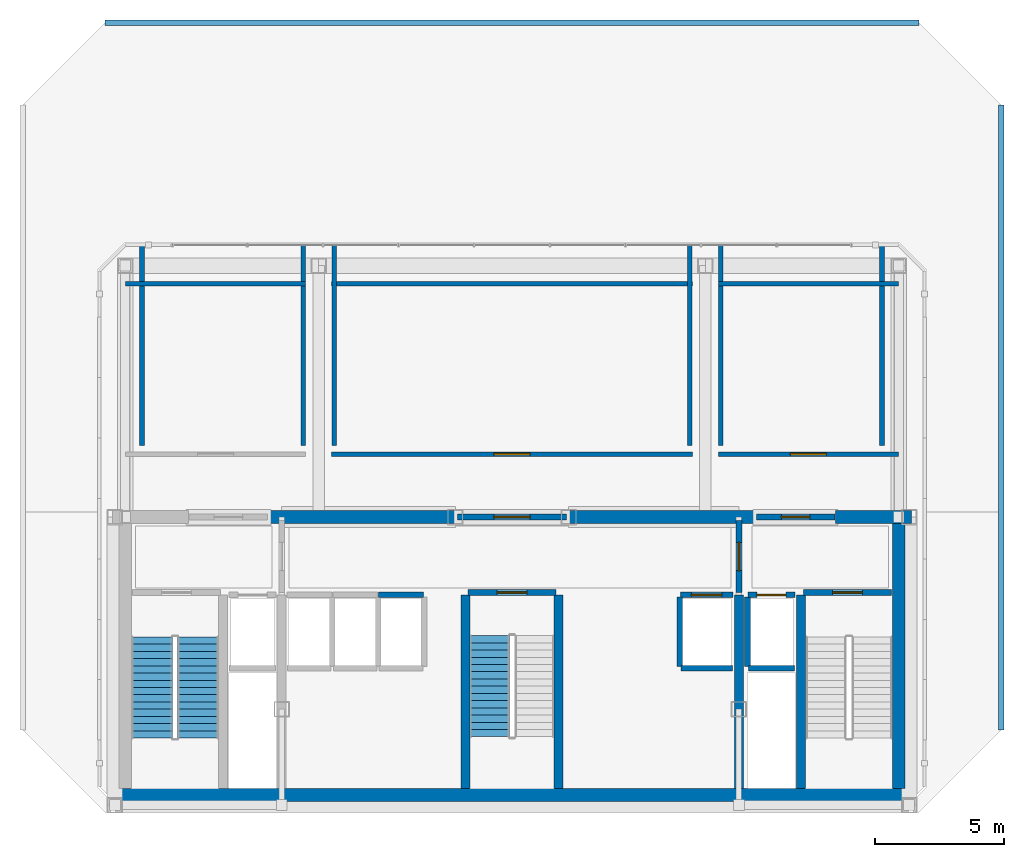
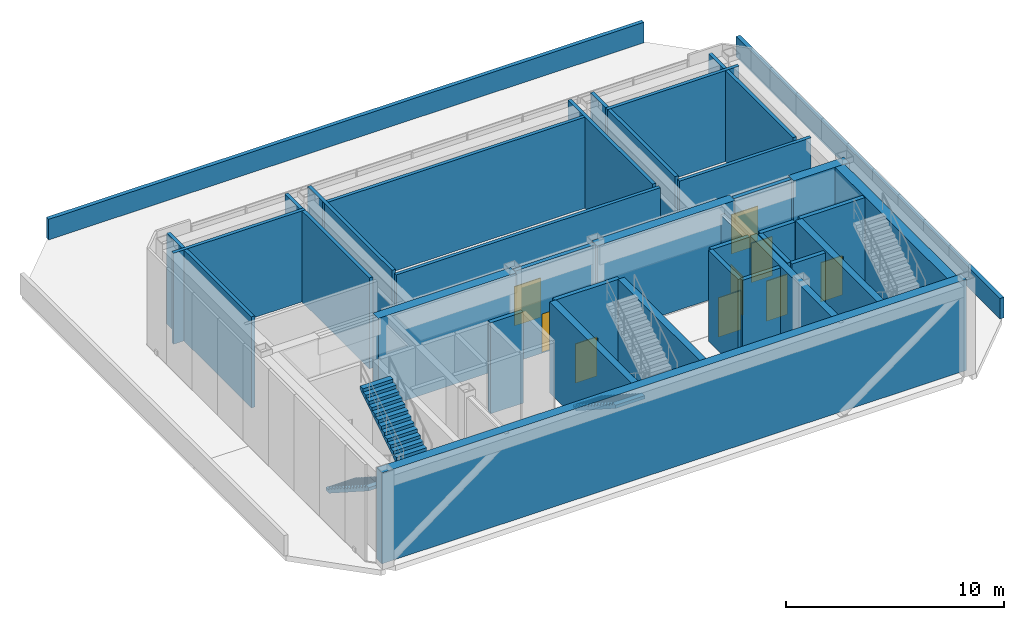
# One storey, part 9 of 11: 34 walls, 9 doors, 3 stair flights, 9 openings, 2 elements without a shape of their own.
"""IFC4 building model written with IfcOpenShell, lengths in metres."""

from ifc_helpers import new_model, si_unit, direction, frame, frame_2d, origin, place, context, subcontext, project, spatial, polyline, rectangle, outline, extrude, material, layer, layer_set, type_object, element, fill, aggregate, save


model = new_model("IFC4")

# Units and contexts
model_context = context("Model", 3, precision=1e-05, world=origin(), true_north=direction((0.0, 1.0)))
body_context = subcontext(model_context, "Body", "Model", "MODEL_VIEW")
ifc_project = project(units=[si_unit("LENGTHUNIT", "METRE"), si_unit("AREAUNIT", "SQUARE_METRE"), si_unit("VOLUMEUNIT", "CUBIC_METRE"), si_unit("PLANEANGLEUNIT", "RADIAN"), si_unit("MASSUNIT", "GRAM", prefix="KILO")], contexts=[model_context])

# Site, building, storey
site_placement = place(None, origin())
site = spatial("IfcSite", under=ifc_project, at=site_placement, CompositionType="ELEMENT")
building_placement = place(site_placement, origin())
building = spatial("IfcBuilding", under=site, at=building_placement, Name="Ventersveld Concourse Tower", CompositionType="ELEMENT")
storey_placement = place(building_placement, frame((0.0, 0.0, 366.64990234375)))
storey = spatial("IfcBuildingStorey", under=building, at=storey_placement, Name="L90", CompositionType="ELEMENT", Elevation=366.64990234375)

# Walls
ifc_material_1 = material(Name="Concrete C50/60", Category="concrete")
ifc_layer_1 = layer(ifc_material_1, 0.35009765625)
ifc_layer_set_1 = layer_set([ifc_layer_1], Name="Concrete C50/60")
wall_type_1 = type_object("IfcWallType", Name="WL-CORE-350U", PredefinedType="SHEAR", material=ifc_layer_set_1)
for number, where, z_axis, x_axis, name in (
    (1, (26.93994140625, 0.919921875, 0.0), (0.0, 0.0, 1.0), (0.0, 1.0, 0.0), "L90 Core Internal Shear Web W-ST3-W"),
    (2, (30.56005859375, 0.919921875, 0.0), (0.0, 0.0, 1.0), (0.0, 1.0, 0.0), "L90 Core Internal Shear Web W-ST3-E"),
    (3, (37.550048828125, 0.919921875, 0.0), (0.0, 0.0, 1.0), (0.0, 1.0, 0.0), "L90 Core Internal Shear Web W-SVL-W"),
    (4, (39.9599609375, 0.919921875, 0.0), (0.0, 0.0, 1.0), (0.0, 1.0, 0.0), "L90 Core Internal Shear Web W-ST2-W"),
):
    element("IfcWall", number, at=place(storey_placement, frame(where, z_axis=z_axis, x_axis=x_axis)), inside=storey, type_object=wall_type_1, Name=name, PredefinedType="SHEAR", context=body_context, shape_type="SweptSolid", body=[
        extrude(rectangle(XDim=7.5, YDim=0.35009765625, at=frame_2d((3.75, 0.0))), origin(), (0.0, 0.0, 1.0), 5.10009765625),
    ])
ifc_layer_2 = layer(ifc_material_1, 0.5)
ifc_layer_set_2 = layer_set([ifc_layer_2], Name="Concrete C50/60")
wall_type_2 = type_object("IfcWallType", Name="WL-CORE-500", PredefinedType="SHEAR", material=ifc_layer_set_2)
wall_1_placement = place(storey_placement, frame((13.25, 0.669921875, 0.0), z_axis=(0.0, 0.0, 1.0), x_axis=(1.0, 0.0, 0.0)))
element("IfcWall", 5, at=wall_1_placement, inside=storey, type_object=wall_type_2, Name="L90 Rear Core South Shear Wall", PredefinedType="SHEAR", context=body_context, shape_type="SweptSolid", body=[
    extrude(rectangle(XDim=31.0, YDim=0.5, at=frame_2d((15.5, 0.0))), origin(), (0.0, 0.0, 1.0), 5.10009765625),
])
wall_2_placement = place(storey_placement, frame((43.75, 0.919921875, 0.0), z_axis=(0.0, 0.0, 1.0), x_axis=(0.0, 1.0, 0.0)))
element("IfcWall", 6, at=wall_2_placement, inside=storey, type_object=wall_type_2, Name="L90 Rear Core East Shear Wall", PredefinedType="SHEAR", context=body_context, shape_type="SweptSolid", body=[
    extrude(rectangle(XDim=10.530029296875, YDim=0.5, at=frame_2d((5.26513671875, 0.0))), origin(), (0.0, 0.0, 1.0), 5.10009765625),
])
for number, where, z_axis, x_axis, name in (
    (7, (19.300048828125, 11.449951171875, 0.0), (0.0, 0.0, 1.0), (1.0, 0.0, 0.0), "L90 Rear Core North Shear Wall NML"),
    (8, (30.89990234375, 11.449951171875, 0.0), (0.0, 0.0, 1.0), (1.0, 0.0, 0.0), "L90 Rear Core North Shear Wall NMR"),
):
    element("IfcWall", number, at=place(storey_placement, frame(where, z_axis=z_axis, x_axis=x_axis)), inside=storey, type_object=wall_type_2, Name=name, PredefinedType="SHEAR", context=body_context, shape_type="SweptSolid", body=[
        extrude(rectangle(XDim=7.300048828125, YDim=0.5, at=frame_2d((3.64990234375, 0.0))), origin(), (0.0, 0.0, 1.0), 5.10009765625),
    ])
wall_3_placement = place(storey_placement, frame((41.300048828125, 11.449951171875, 0.0), z_axis=(0.0, 0.0, 1.0), x_axis=(1.0, 0.0, 0.0)))
element("IfcWall", 9, at=wall_3_placement, inside=storey, type_object=wall_type_2, Name="L90 Rear Core North Shear Wall NE", PredefinedType="SHEAR", context=body_context, shape_type="SweptSolid", body=[
    extrude(rectangle(XDim=2.949951171875, YDim=0.5, at=frame_2d((1.47509765625, 0.0))), origin(), (0.0, 0.0, 1.0), 5.10009765625),
])

# Wall, opening, door
ifc_material_2 = material(Name="Fire-rated autoclaved aerated masonry blockwork", Category="masonry")
ifc_layer_3 = layer(ifc_material_2, 0.179931640625)
ifc_layer_set_3 = layer_set([ifc_layer_3], Name="Fire-rated autoclaved aerated masonry blockwork")
wall_type_3 = type_object("IfcWallType", Name="WL-CORR-180", PredefinedType="PARTITIONING", material=ifc_layer_set_3)
wall_4_placement = place(storey_placement, frame((21.7548828125, 13.889892578125, 0.0), z_axis=(0.0, 0.0, 1.0), x_axis=(1.0, 0.0, 0.0)))
wall_4 = element("IfcWall", 10, at=wall_4_placement, inside=storey, type_object=wall_type_3, Name="L90 Interior Partition SP-L90-PCOR-SP-L90-AHU", PredefinedType="PARTITIONING", context=body_context, shape_type="SweptSolid", body=[
    extrude(rectangle(XDim=13.990234375, YDim=0.179931640625, at=frame_2d((6.9951171875, 0.0))), origin(), (0.0, 0.0, 1.0), 5.10009765625),
])
opening_1_placement = place(wall_4_placement, frame((6.294921875, 0.0, 0.0)))
opening_1 = element("IfcOpeningElement", 11, at=opening_1_placement, cuts=wall_4, Name="Opening FD4", PredefinedType="OPENING", context=body_context, shape_type="SweptSolid", body=[
    extrude(rectangle(XDim=1.39990234375, YDim=2.199951171875, at=frame_2d((0.699951171875, 1.10009765625))), frame((0.0, 0.10009765625, 0.0), z_axis=(0.0, -1.0, 0.0), x_axis=(1.0, 0.0, 0.0)), (0.0, 0.0, 1.0), 0.199951171875),
])
ifc_material_3 = material(Name="Galvanised painted steel", Category="steel")
door_type_1 = type_object("IfcDoorType", Name="DR-PLANT-140", OperationType="DOUBLE_DOOR_SINGLE_SWING", PredefinedType="DOOR", material=ifc_material_3)
door_1_placement = place(opening_1_placement, origin())
door_1 = element("IfcDoor", 12, at=door_1_placement, inside=storey, type_object=door_type_1, Name="L90 Interior Door SP-L90-PCOR to SP-L90-AHU (FD-L90-3968)", OperationType="DOUBLE_DOOR_SINGLE_SWING", OverallHeight=2.199951171875, OverallWidth=1.39990234375, PredefinedType="DOOR", context=body_context, shape_type="SweptSolid", body=[
    extrude(rectangle(XDim=1.39990234375, YDim=2.199951171875, at=frame_2d((0.699951171875, 1.10009765625))), frame((0.0, 0.02490234375, 0.0), z_axis=(0.0, -1.0, 0.0), x_axis=(1.0, 0.0, 0.0)), (0.0, 0.0, 1.0), 0.050048828125),
])
fill(opening_1, door_1)

wall_5_placement = place(storey_placement, frame((36.7548828125, 13.889892578125, 0.0), z_axis=(0.0, 0.0, 1.0), x_axis=(1.0, 0.0, 0.0)))
wall_5 = element("IfcWall", 13, at=wall_5_placement, inside=storey, type_object=wall_type_3, Name="L90 Interior Partition SP-L90-PCOR-SP-L90-PMP", PredefinedType="PARTITIONING", context=body_context, shape_type="SweptSolid", body=[
    extrude(rectangle(XDim=6.97705078125, YDim=0.179931640625, at=frame_2d((3.488525390625, 0.0))), origin(), (0.0, 0.0, 1.0), 5.10009765625),
])
opening_2_placement = place(wall_5_placement, frame((2.78857421875, 0.0, 0.0)))
opening_2 = element("IfcOpeningElement", 14, at=opening_2_placement, cuts=wall_5, Name="Opening FD4", PredefinedType="OPENING", context=body_context, shape_type="SweptSolid", body=[
    extrude(rectangle(XDim=1.39990234375, YDim=2.199951171875, at=frame_2d((0.699951171875, 1.10009765625))), frame((0.0, 0.10009765625, 0.0), z_axis=(0.0, -1.0, 0.0), x_axis=(1.0, 0.0, 0.0)), (0.0, 0.0, 1.0), 0.199951171875),
])
door_2_placement = place(opening_2_placement, origin())
door_2 = element("IfcDoor", 15, at=door_2_placement, inside=storey, type_object=door_type_1, Name="L90 Interior Door SP-L90-PCOR to SP-L90-PMP (FD-L90-3969)", OperationType="DOUBLE_DOOR_SINGLE_SWING", OverallHeight=2.199951171875, OverallWidth=1.39990234375, PredefinedType="DOOR", context=body_context, shape_type="SweptSolid", body=[
    extrude(rectangle(XDim=1.39990234375, YDim=2.199951171875, at=frame_2d((0.699951171875, 1.10009765625))), frame((0.0, 0.02490234375, 0.0), z_axis=(0.0, -1.0, 0.0), x_axis=(1.0, 0.0, 0.0)), (0.0, 0.0, 1.0), 0.050048828125),
])
fill(opening_2, door_2)

# Walls
wall_6_placement = place(storey_placement, frame((20.64990234375, 14.215087890625, 0.0), z_axis=(0.0, 0.0, 1.0), x_axis=(0.0, 1.0, 0.0)))
element("IfcWall", 16, at=wall_6_placement, inside=storey, type_object=wall_type_3, Name="L90 Room Enclosure Wall SP-L90-CHL", PredefinedType="PARTITIONING", context=body_context, shape_type="SweptSolid", body=[
    extrude(rectangle(XDim=7.766845703125, YDim=0.179931640625, at=frame_2d((3.88330078125, 0.0))), origin(), (0.0, 0.0, 1.0), 5.10009765625),
])
wall_7_placement = place(storey_placement, frame((20.7451171875, 20.5, 0.0), z_axis=(0.0, 0.0, 1.0), x_axis=(-1.0, 0.0, 0.0)))
element("IfcWall", 17, at=wall_7_placement, inside=storey, type_object=wall_type_3, Name="L90 Room Enclosure Wall SP-L90-CHL", PredefinedType="PARTITIONING", context=body_context, shape_type="SweptSolid", body=[
    extrude(rectangle(XDim=6.97705078125, YDim=0.179931640625, at=frame_2d((3.488525390625, 0.0))), origin(), (0.0, 0.0, 1.0), 5.10009765625),
])
wall_8_placement = place(storey_placement, frame((14.39990234375, 21.990966796875, 0.0), z_axis=(0.0, 0.0, 1.0), x_axis=(0.0, -1.0, 0.0)))
element("IfcWall", 18, at=wall_8_placement, inside=storey, type_object=wall_type_3, Name="L90 Room Enclosure Wall SP-L90-CHL", PredefinedType="PARTITIONING", context=body_context, shape_type="SweptSolid", body=[
    extrude(rectangle(XDim=7.77587890625, YDim=0.179931640625, at=frame_2d((3.887939453125, 0.0))), origin(), (0.0, 0.0, 1.0), 5.10009765625),
])
wall_9_placement = place(storey_placement, frame((35.64990234375, 14.215087890625, 0.0), z_axis=(0.0, 0.0, 1.0), x_axis=(0.0, 1.0, 0.0)))
element("IfcWall", 19, at=wall_9_placement, inside=storey, type_object=wall_type_3, Name="L90 Room Enclosure Wall SP-L90-AHU", PredefinedType="PARTITIONING", context=body_context, shape_type="SweptSolid", body=[
    extrude(rectangle(XDim=7.766845703125, YDim=0.179931640625, at=frame_2d((3.88330078125, 0.0))), origin(), (0.0, 0.0, 1.0), 5.10009765625),
])
wall_10_placement = place(storey_placement, frame((35.7451171875, 20.5, 0.0), z_axis=(0.0, 0.0, 1.0), x_axis=(-1.0, 0.0, 0.0)))
element("IfcWall", 20, at=wall_10_placement, inside=storey, type_object=wall_type_3, Name="L90 Room Enclosure Wall SP-L90-AHU", PredefinedType="PARTITIONING", context=body_context, shape_type="SweptSolid", body=[
    extrude(rectangle(XDim=13.990234375, YDim=0.179931640625, at=frame_2d((6.9951171875, 0.0))), origin(), (0.0, 0.0, 1.0), 5.10009765625),
])
wall_11_placement = place(storey_placement, frame((21.85009765625, 21.98193359375, 0.0), z_axis=(0.0, 0.0, 1.0), x_axis=(0.0, -1.0, 0.0)))
element("IfcWall", 21, at=wall_11_placement, inside=storey, type_object=wall_type_3, Name="L90 Room Enclosure Wall SP-L90-AHU", PredefinedType="PARTITIONING", context=body_context, shape_type="SweptSolid", body=[
    extrude(rectangle(XDim=7.766845703125, YDim=0.179931640625, at=frame_2d((3.88330078125, 0.0))), origin(), (0.0, 0.0, 1.0), 5.10009765625),
])
wall_12_placement = place(storey_placement, frame((43.10009765625, 14.215087890625, 0.0), z_axis=(0.0, 0.0, 1.0), x_axis=(0.0, 1.0, 0.0)))
element("IfcWall", 22, at=wall_12_placement, inside=storey, type_object=wall_type_3, Name="L90 Room Enclosure Wall SP-L90-PMP", PredefinedType="PARTITIONING", context=body_context, shape_type="SweptSolid", body=[
    extrude(rectangle(XDim=7.77587890625, YDim=0.179931640625, at=frame_2d((3.887939453125, 0.0))), origin(), (0.0, 0.0, 1.0), 5.10009765625),
])
wall_13_placement = place(storey_placement, frame((43.73193359375, 20.5, 0.0), z_axis=(0.0, 0.0, 1.0), x_axis=(-1.0, 0.0, 0.0)))
element("IfcWall", 23, at=wall_13_placement, inside=storey, type_object=wall_type_3, Name="L90 Room Enclosure Wall SP-L90-PMP", PredefinedType="PARTITIONING", context=body_context, shape_type="SweptSolid", body=[
    extrude(rectangle(XDim=6.97705078125, YDim=0.179931640625, at=frame_2d((3.488525390625, 0.0))), origin(), (0.0, 0.0, 1.0), 5.10009765625),
])
wall_14_placement = place(storey_placement, frame((36.85009765625, 21.98193359375, 0.0), z_axis=(0.0, 0.0, 1.0), x_axis=(0.0, -1.0, 0.0)))
element("IfcWall", 24, at=wall_14_placement, inside=storey, type_object=wall_type_3, Name="L90 Room Enclosure Wall SP-L90-PMP", PredefinedType="PARTITIONING", context=body_context, shape_type="SweptSolid", body=[
    extrude(rectangle(XDim=7.766845703125, YDim=0.179931640625, at=frame_2d((3.88330078125, 0.0))), origin(), (0.0, 0.0, 1.0), 5.10009765625),
])
ifc_layer_4 = layer(ifc_material_2, 0.219970703125)
ifc_layer_set_4 = layer_set([ifc_layer_4], Name="Fire-rated autoclaved aerated masonry blockwork")
wall_type_4 = type_object("IfcWallType", Name="WL-HOIST-220", PredefinedType="SOLIDWALL", material=ifc_layer_set_4)
wall_15_placement = place(storey_placement, frame((37.919921875, 5.590087890625, 0.0), z_axis=(0.0, 0.0, 1.0), x_axis=(1.0, 0.0, 0.0)))
element("IfcWall", 25, at=wall_15_placement, inside=storey, type_object=wall_type_4, Name="L90 Lift Hoistway Back Wall FFL-02", PredefinedType="SOLIDWALL", context=body_context, shape_type="SweptSolid", body=[
    extrude(rectangle(XDim=1.780029296875, YDim=0.219970703125, at=frame_2d((0.89013671875, 0.0))), origin(), (0.0, 0.0, 1.0), 5.10009765625),
])
wall_16_placement = place(storey_placement, frame((37.8798828125, 5.64990234375, 0.0), z_axis=(0.0, 0.0, 1.0), x_axis=(0.0, 1.0, 0.0)))
element("IfcWall", 26, at=wall_16_placement, inside=storey, type_object=wall_type_4, Name="L90 Lift Hoistway Side Wall FFL-02W", PredefinedType="SOLIDWALL", context=body_context, shape_type="SweptSolid", body=[
    extrude(rectangle(XDim=2.7001953125, YDim=0.219970703125, at=frame_2d((1.35009765625, 0.0))), origin(), (0.0, 0.0, 1.0), 5.10009765625),
])

# Wall, opening, door
wall_17_placement = place(storey_placement, frame((37.89990234375, 8.429931640625, 0.0), z_axis=(0.0, 0.0, 1.0), x_axis=(1.0, 0.0, 0.0)))
wall_17 = element("IfcWall", 27, at=wall_17_placement, inside=storey, type_object=wall_type_4, Name="L90 Lift Hoistway Front Wall FFL-02", PredefinedType="SOLIDWALL", context=body_context, shape_type="SweptSolid", body=[
    extrude(rectangle(XDim=1.820068359375, YDim=0.219970703125, at=frame_2d((0.91015625, 0.0))), origin(), (0.0, 0.0, 1.0), 5.10009765625),
])
opening_3_placement = place(wall_17_placement, frame((0.35009765625, 0.0, 0.0)))
opening_3 = element("IfcOpeningElement", 28, at=opening_3_placement, cuts=wall_17, Name="Opening LD1", PredefinedType="OPENING", context=body_context, shape_type="SweptSolid", body=[
    extrude(rectangle(XDim=1.1201171875, YDim=2.25, at=frame_2d((0.56005859375, 1.125))), frame((0.0, 0.1201171875, 0.0), z_axis=(0.0, -1.0, 0.0), x_axis=(1.0, 0.0, 0.0)), (0.0, 0.0, 1.0), 0.239990234375),
])
ifc_material_4 = material(Name="Brushed stainless steel 316", Category="steel")
door_type_2 = type_object("IfcDoorType", Name="LD-FF-112", OperationType="SLIDING_TO_LEFT", PredefinedType="DOOR", material=ifc_material_4)
door_3_placement = place(opening_3_placement, origin())
door_3 = element("IfcDoor", 29, at=door_3_placement, inside=storey, type_object=door_type_2, Name="L90 Lift landing door FFL-02 (LD-L90-FFL-02)", OperationType="SLIDING_TO_LEFT", OverallHeight=2.25, OverallWidth=1.1201171875, PredefinedType="DOOR", context=body_context, shape_type="SweptSolid", body=[
    extrude(rectangle(XDim=1.1201171875, YDim=2.25, at=frame_2d((0.56005859375, 1.125))), frame((0.0, 0.02490234375, 0.0), z_axis=(0.0, -1.0, 0.0), x_axis=(1.0, 0.0, 0.0)), (0.0, 0.0, 1.0), 0.050048828125),
])
fill(opening_3, door_3)

# Walls
wall_18_placement = place(storey_placement, frame((35.300048828125, 5.590087890625, 0.0), z_axis=(0.0, 0.0, 1.0), x_axis=(1.0, 0.0, 0.0)))
element("IfcWall", 30, at=wall_18_placement, inside=storey, type_object=wall_type_4, Name="L90 Lift Hoistway Back Wall SVL-01", PredefinedType="SOLIDWALL", context=body_context, shape_type="SweptSolid", body=[
    extrude(rectangle(XDim=2.0, YDim=0.219970703125, at=frame_2d((1.0, 0.0))), origin(), (0.0, 0.0, 1.0), 5.10009765625),
])
wall_19_placement = place(storey_placement, frame((35.260009765625, 5.64990234375, 0.0), z_axis=(0.0, 0.0, 1.0), x_axis=(0.0, 1.0, 0.0)))
element("IfcWall", 31, at=wall_19_placement, inside=storey, type_object=wall_type_4, Name="L90 Lift Hoistway Side Wall SVL-01W", PredefinedType="SOLIDWALL", context=body_context, shape_type="SweptSolid", body=[
    extrude(rectangle(XDim=2.7001953125, YDim=0.219970703125, at=frame_2d((1.35009765625, 0.0))), origin(), (0.0, 0.0, 1.0), 5.10009765625),
])

# Wall, opening, door
wall_20_placement = place(storey_placement, frame((35.280029296875, 8.429931640625, 0.0), z_axis=(0.0, 0.0, 1.0), x_axis=(1.0, 0.0, 0.0)))
wall_20 = element("IfcWall", 32, at=wall_20_placement, inside=storey, type_object=wall_type_4, Name="L90 Lift Hoistway Front Wall SVL-01", PredefinedType="SOLIDWALL", context=body_context, shape_type="SweptSolid", body=[
    extrude(rectangle(XDim=2.0400390625, YDim=0.219970703125, at=frame_2d((1.02001953125, 0.0))), origin(), (0.0, 0.0, 1.0), 5.10009765625),
])
opening_4_placement = place(wall_20_placement, frame((0.429931640625, 0.0, 0.0)))
opening_4 = element("IfcOpeningElement", 33, at=opening_4_placement, cuts=wall_20, Name="Opening LD2", PredefinedType="OPENING", context=body_context, shape_type="SweptSolid", body=[
    extrude(rectangle(XDim=1.179931640625, YDim=2.199951171875, at=frame_2d((0.58984375, 1.10009765625))), frame((0.0, 0.1201171875, 0.0), z_axis=(0.0, -1.0, 0.0), x_axis=(1.0, 0.0, 0.0)), (0.0, 0.0, 1.0), 0.239990234375),
])
door_type_3 = type_object("IfcDoorType", Name="LD-PAX-118", OperationType="SLIDING_TO_LEFT", PredefinedType="DOOR", material=ifc_material_4)
door_4_placement = place(opening_4_placement, origin())
door_4 = element("IfcDoor", 34, at=door_4_placement, inside=storey, type_object=door_type_3, Name="L90 Lift landing door SVL-01 (LD-L90-SVL-01)", OperationType="SLIDING_TO_RIGHT", OverallHeight=2.199951171875, OverallWidth=1.179931640625, PredefinedType="DOOR", context=body_context, shape_type="SweptSolid", body=[
    extrude(rectangle(XDim=1.179931640625, YDim=2.199951171875, at=frame_2d((0.58984375, 1.10009765625))), frame((0.0, 0.02490234375, 0.0), z_axis=(0.0, -1.0, 0.0), x_axis=(1.0, 0.0, 0.0)), (0.0, 0.0, 1.0), 0.050048828125),
])
fill(opening_4, door_4)

# Wall
wall_21_placement = place(storey_placement, frame((23.580078125, 8.429931640625, 0.0), z_axis=(0.0, 0.0, 1.0), x_axis=(1.0, 0.0, 0.0)))
element("IfcWall", 35, at=wall_21_placement, inside=storey, type_object=wall_type_4, Name="L90 Lift Hoistway Front Wall PH-03", PredefinedType="SOLIDWALL", context=body_context, shape_type="SweptSolid", body=[
    extrude(rectangle(XDim=1.739990234375, YDim=0.219970703125, at=frame_2d((0.8701171875, 0.0))), origin(), (0.0, 0.0, 1.0), 5.10009765625),
])

# Wall, opening, door
wall_22_placement = place(storey_placement, frame((40.06005859375, 8.52001953125, 0.0), z_axis=(0.0, 0.0, 1.0), x_axis=(1.0, 0.0, 0.0)))
wall_22 = element("IfcWall", 36, at=wall_22_placement, inside=storey, type_object=wall_type_4, Name="L90 Escape Stair ST02 Fire Wall", PredefinedType="SOLIDWALL", context=body_context, shape_type="SweptSolid", body=[
    extrude(rectangle(XDim=3.39990234375, YDim=0.219970703125, at=frame_2d((1.699951171875, 0.0))), origin(), (0.0, 0.0, 1.0), 5.10009765625),
])
opening_5_placement = place(wall_22_placement, frame((1.125, 0.0, 0.0)))
opening_5 = element("IfcOpeningElement", 37, at=opening_5_placement, cuts=wall_22, Name="Opening FD1", PredefinedType="OPENING", context=body_context, shape_type="SweptSolid", body=[
    extrude(rectangle(XDim=1.14990234375, YDim=2.199951171875, at=frame_2d((0.574951171875, 1.10009765625))), frame((0.0, 0.1201171875, 0.0), z_axis=(0.0, -1.0, 0.0), x_axis=(1.0, 0.0, 0.0)), (0.0, 0.0, 1.0), 0.239990234375),
])
door_type_4 = type_object("IfcDoorType", Name="DR-STAIR-115", OperationType="NOTDEFINED", PredefinedType="DOOR", material=ifc_material_3)
door_5_placement = place(opening_5_placement, origin())
door_5 = element("IfcDoor", 38, at=door_5_placement, inside=storey, type_object=door_type_4, Name="L90 Escape Stair Door ST02 (SD-L90-3960)", OperationType="SINGLE_SWING_RIGHT", OverallHeight=2.199951171875, OverallWidth=1.14990234375, PredefinedType="DOOR", context=body_context, shape_type="SweptSolid", body=[
    extrude(rectangle(XDim=1.14990234375, YDim=2.199951171875, at=frame_2d((0.574951171875, 1.10009765625))), frame((0.0, 0.02490234375, 0.0), z_axis=(0.0, -1.0, 0.0), x_axis=(1.0, 0.0, 0.0)), (0.0, 0.0, 1.0), 0.050048828125),
])
fill(opening_5, door_5)

wall_23_placement = place(storey_placement, frame((27.0400390625, 8.52001953125, 0.0), z_axis=(0.0, 0.0, 1.0), x_axis=(1.0, 0.0, 0.0)))
wall_23 = element("IfcWall", 39, at=wall_23_placement, inside=storey, type_object=wall_type_4, Name="L90 Escape Stair ST03 Fire Wall", PredefinedType="SOLIDWALL", context=body_context, shape_type="SweptSolid", body=[
    extrude(rectangle(XDim=3.419921875, YDim=0.219970703125, at=frame_2d((1.7099609375, 0.0))), origin(), (0.0, 0.0, 1.0), 5.10009765625),
])
opening_6_placement = place(wall_23_placement, frame((1.135009765625, 0.0, 0.0)))
opening_6 = element("IfcOpeningElement", 40, at=opening_6_placement, cuts=wall_23, Name="Opening FD1", PredefinedType="OPENING", context=body_context, shape_type="SweptSolid", body=[
    extrude(rectangle(XDim=1.14990234375, YDim=2.199951171875, at=frame_2d((0.574951171875, 1.10009765625))), frame((0.0, 0.1201171875, 0.0), z_axis=(0.0, -1.0, 0.0), x_axis=(1.0, 0.0, 0.0)), (0.0, 0.0, 1.0), 0.239990234375),
])
door_6_placement = place(opening_6_placement, origin())
door_6 = element("IfcDoor", 41, at=door_6_placement, inside=storey, type_object=door_type_4, Name="L90 Escape Stair Door ST03 (SD-L90-3961)", OperationType="SINGLE_SWING_LEFT", OverallHeight=2.199951171875, OverallWidth=1.14990234375, PredefinedType="DOOR", context=body_context, shape_type="SweptSolid", body=[
    extrude(rectangle(XDim=1.14990234375, YDim=2.199951171875, at=frame_2d((0.574951171875, 1.10009765625))), frame((0.0, 0.02490234375, 0.0), z_axis=(0.0, -1.0, 0.0), x_axis=(1.0, 0.0, 0.0)), (0.0, 0.0, 1.0), 0.050048828125),
])
fill(opening_6, door_6)

wall_24_placement = place(storey_placement, frame((37.550048828125, 8.52001953125, 0.0), z_axis=(0.0, 0.0, 1.0), x_axis=(0.0, 1.0, 0.0)))
wall_24 = element("IfcWall", 42, at=wall_24_placement, inside=storey, type_object=wall_type_4, Name="L90 Firefighting Lobby Smoke-Stop Wall FFLE-SEP", PredefinedType="SOLIDWALL", context=body_context, shape_type="SweptSolid", body=[
    extrude(rectangle(XDim=2.800048828125, YDim=0.219970703125, at=frame_2d((1.39990234375, 0.0))), origin(), (0.0, 0.0, 1.0), 4.5556640625),
])
opening_7_placement = place(wall_24_placement, frame((0.85009765625, 0.0, 0.0)))
opening_7 = element("IfcOpeningElement", 43, at=opening_7_placement, cuts=wall_24, Name="Opening FD2", PredefinedType="OPENING", context=body_context, shape_type="SweptSolid", body=[
    extrude(rectangle(XDim=1.10009765625, YDim=2.199951171875, at=frame_2d((0.550048828125, 1.10009765625))), frame((0.0, 0.1201171875, 0.0), z_axis=(0.0, -1.0, 0.0), x_axis=(1.0, 0.0, 0.0)), (0.0, 0.0, 1.0), 0.239990234375),
])
door_type_5 = type_object("IfcDoorType", Name="DR-FFL-110", OperationType="NOTDEFINED", PredefinedType="DOOR", material=ifc_material_3)
door_7_placement = place(opening_7_placement, origin())
door_7 = element("IfcDoor", 44, at=door_7_placement, inside=storey, type_object=door_type_5, Name="L90 Firefighting Lobby Door FFLE-SEP (FD-L90-3963)", OperationType="SINGLE_SWING_RIGHT", OverallHeight=2.199951171875, OverallWidth=1.10009765625, PredefinedType="DOOR", context=body_context, shape_type="SweptSolid", body=[
    extrude(rectangle(XDim=1.10009765625, YDim=2.199951171875, at=frame_2d((0.550048828125, 1.10009765625))), frame((0.0, 0.02490234375, 0.0), z_axis=(0.0, -1.0, 0.0), x_axis=(1.0, 0.0, 0.0)), (0.0, 0.0, 1.0), 0.050048828125),
])
fill(opening_7, door_7)

wall_25_placement = place(storey_placement, frame((26.6298828125, 11.449951171875, 0.0), z_axis=(0.0, 0.0, 1.0), x_axis=(1.0, 0.0, 0.0)))
wall_25 = element("IfcWall", 45, at=wall_25_placement, inside=storey, type_object=wall_type_4, Name="L90 Core North Fire Portal PLOB-OUT", PredefinedType="SOLIDWALL", context=body_context, shape_type="SweptSolid", body=[
    extrude(rectangle(XDim=4.240234375, YDim=0.219970703125, at=frame_2d((2.1201171875, 0.0))), origin(), (0.0, 0.0, 1.0), 5.10009765625),
])
opening_8_placement = place(wall_25_placement, frame((1.419921875, 0.0, 0.0)))
opening_8 = element("IfcOpeningElement", 46, at=opening_8_placement, cuts=wall_25, Name="Opening FD4", PredefinedType="OPENING", context=body_context, shape_type="SweptSolid", body=[
    extrude(rectangle(XDim=1.39990234375, YDim=2.199951171875, at=frame_2d((0.699951171875, 1.10009765625))), frame((0.0, 0.1201171875, 0.0), z_axis=(0.0, -1.0, 0.0), x_axis=(1.0, 0.0, 0.0)), (0.0, 0.0, 1.0), 0.239990234375),
])
door_8_placement = place(opening_8_placement, origin())
door_8 = element("IfcDoor", 47, at=door_8_placement, inside=storey, type_object=door_type_1, Name="L90 Core Lobby Fire Door PLOB-OUT (FD-L90-3965)", OperationType="DOUBLE_DOOR_SINGLE_SWING", OverallHeight=2.199951171875, OverallWidth=1.39990234375, PredefinedType="DOOR", context=body_context, shape_type="SweptSolid", body=[
    extrude(rectangle(XDim=1.39990234375, YDim=2.199951171875, at=frame_2d((0.699951171875, 1.10009765625))), frame((0.0, 0.02490234375, 0.0), z_axis=(0.0, -1.0, 0.0), x_axis=(1.0, 0.0, 0.0)), (0.0, 0.0, 1.0), 0.050048828125),
])
fill(opening_8, door_8)

wall_26_placement = place(storey_placement, frame((38.22998046875, 11.449951171875, 0.0), z_axis=(0.0, 0.0, 1.0), x_axis=(1.0, 0.0, 0.0)))
wall_26 = element("IfcWall", 48, at=wall_26_placement, inside=storey, type_object=wall_type_4, Name="L90 Core North Fire Portal FFLE-OUT", PredefinedType="SOLIDWALL", context=body_context, shape_type="SweptSolid", body=[
    extrude(rectangle(XDim=3.0400390625, YDim=0.219970703125, at=frame_2d((1.52001953125, 0.0))), origin(), (0.0, 0.0, 1.0), 5.10009765625),
])
opening_9_placement = place(wall_26_placement, frame((0.969970703125, 0.0, 0.0)))
opening_9 = element("IfcOpeningElement", 49, at=opening_9_placement, cuts=wall_26, Name="Opening FD2", PredefinedType="OPENING", context=body_context, shape_type="SweptSolid", body=[
    extrude(rectangle(XDim=1.10009765625, YDim=2.199951171875, at=frame_2d((0.550048828125, 1.10009765625))), frame((0.0, 0.1201171875, 0.0), z_axis=(0.0, -1.0, 0.0), x_axis=(1.0, 0.0, 0.0)), (0.0, 0.0, 1.0), 0.239990234375),
])
door_9_placement = place(opening_9_placement, origin())
door_9 = element("IfcDoor", 50, at=door_9_placement, inside=storey, type_object=door_type_5, Name="L90 Core Lobby Fire Door FFLE-OUT (FD-L90-3966)", OperationType="SINGLE_SWING_LEFT", OverallHeight=2.199951171875, OverallWidth=1.10009765625, PredefinedType="DOOR", context=body_context, shape_type="SweptSolid", body=[
    extrude(rectangle(XDim=1.10009765625, YDim=2.199951171875, at=frame_2d((0.550048828125, 1.10009765625))), frame((0.0, 0.02490234375, 0.0), z_axis=(0.0, -1.0, 0.0), x_axis=(1.0, 0.0, 0.0)), (0.0, 0.0, 1.0), 0.050048828125),
])
fill(opening_9, door_9)

# Walls
ifc_material_5 = material(Name="Precast concrete C45/55", Category="concrete")
ifc_layer_5 = layer(ifc_material_5, 0.2099609375)
ifc_layer_set_5 = layer_set([ifc_layer_5], Name="Precast concrete C45/55")
wall_type_5 = type_object("IfcWallType", Name="WL-PARA-210", PredefinedType="PARAPET", material=ifc_layer_set_5)
wall_27_placement = place(storey_placement, frame((47.72509765625, 3.199951171875, 0.0), z_axis=(0.0, 0.0, 1.0), x_axis=(0.0, 1.0, 0.0)))
element("IfcWall", 51, at=wall_27_placement, inside=storey, type_object=wall_type_5, Name="L90 Setback Roof Parapet Wall 2", PredefinedType="PARAPET", context=body_context, shape_type="SweptSolid", body=[
    extrude(rectangle(XDim=24.219970703125, YDim=0.2099609375, at=frame_2d((12.10986328125, 0.0))), origin(), (0.0, 0.0, 1.0), 1.150146484375),
])
wall_28_placement = place(storey_placement, frame((44.52490234375, 30.6201171875, 0.0), z_axis=(0.0, 0.0, 1.0), x_axis=(-1.0, 0.0, 0.0)))
element("IfcWall", 52, at=wall_28_placement, inside=storey, type_object=wall_type_5, Name="L90 Setback Roof Parapet Wall 3", PredefinedType="PARAPET", context=body_context, shape_type="SweptSolid", body=[
    extrude(rectangle(XDim=31.5498046875, YDim=0.2099609375, at=frame_2d((15.77490234375, 0.0))), origin(), (0.0, 0.0, 1.0), 1.150146484375),
])

# Stair, stair flight
stair_type_1 = type_object("IfcStairType", Name="ST-DOG-155", PredefinedType="HALF_TURN_STAIR", material=ifc_material_1)
stair_1_placement = place(storey_placement, origin())
stair_1 = element("IfcStair", 53, at=stair_1_placement, inside=storey, type_object=stair_type_1, Name="L90 Protected Central Core Escape Stair ST-03", PredefinedType="HALF_TURN_STAIR")
stair_flight_type_1 = type_object("IfcStairFlightType", Name="STF-RC-155", PredefinedType="STRAIGHT", material=ifc_material_1)
stair_flight_1_placement = place(storey_placement, frame((27.875, 6.85009765625, 0.0), z_axis=(0.0, 0.0, 1.0), x_axis=(0.0, -1.0, 0.0)))
stair_flight_1 = element("IfcStairFlight", 54, at=stair_flight_1_placement, type_object=stair_flight_type_1, Name="ST-03 flight 1", NumberOfRisers=15, NumberOfTreads=14, PredefinedType="STRAIGHT", RiserHeight=0.18, TreadLength=0.28, context=body_context, shape_type="SweptSolid", body=[
    extrude(outline(polyline([(0.0, 0.0), (0.0, 0.179931640625), (0.280029296875, 0.179931640625), (0.280029296875, 0.360107421875), (0.56005859375, 0.360107421875), (0.56005859375, 0.5400390625), (0.840087890625, 0.5400390625), (0.840087890625, 0.719970703125), (1.1201171875, 0.719970703125), (1.1201171875, 0.89990234375), (1.39990234375, 0.89990234375), (1.39990234375, 1.080078125), (1.679931640625, 1.080078125), (1.679931640625, 1.260009765625), (1.9599609375, 1.260009765625), (1.9599609375, 1.43994140625), (2.239990234375, 1.43994140625), (2.239990234375, 1.6201171875), (2.52001953125, 1.6201171875), (2.52001953125, 1.800048828125), (2.800048828125, 1.800048828125), (2.800048828125, 1.97998046875), (3.080078125, 1.97998046875), (3.080078125, 2.159912109375), (3.360107421875, 2.159912109375), (3.360107421875, 2.340087890625), (3.639892578125, 2.340087890625), (3.639892578125, 2.52001953125), (3.919921875, 2.52001953125), (3.919921875, 2.699951171875), (3.919921875, 2.341796875), (0.277099609375, 0.0), (0.0, 0.0)])), frame((0.0, 0.77490234375, 0.0), z_axis=(0.0, -1.0, 0.0), x_axis=(1.0, 0.0, 0.0)), (0.0, 0.0, 1.0), 1.550048828125),
])
aggregate(stair_1, [stair_flight_1])

# Stair, stair flights
stair_type_2 = type_object("IfcStairType", Name="ST-DOG-160", PredefinedType="HALF_TURN_STAIR", material=ifc_material_1)
stair_2_placement = place(storey_placement, origin())
stair_2 = element("IfcStair", 55, at=stair_2_placement, inside=storey, type_object=stair_type_2, Name="L90 Protected Tower Escape Stair ST-01", PredefinedType="HALF_TURN_STAIR")
stair_flight_type_2 = type_object("IfcStairFlightType", Name="STF-RC-160", PredefinedType="STRAIGHT", material=ifc_material_1)
stair_flight_2_placement = place(storey_placement, frame((14.780029296875, 6.800048828125, 0.0), z_axis=(0.0, 0.0, 1.0), x_axis=(0.0, -1.0, 0.0)))
stair_flight_2 = element("IfcStairFlight", 56, at=stair_flight_2_placement, type_object=stair_flight_type_2, Name="ST-01 flight 1", NumberOfRisers=15, NumberOfTreads=14, PredefinedType="STRAIGHT", RiserHeight=0.18, TreadLength=0.28, context=body_context, shape_type="SweptSolid", body=[
    extrude(outline(polyline([(0.0, 0.0), (0.0, 0.179931640625), (0.280029296875, 0.179931640625), (0.280029296875, 0.360107421875), (0.56005859375, 0.360107421875), (0.56005859375, 0.5400390625), (0.840087890625, 0.5400390625), (0.840087890625, 0.719970703125), (1.1201171875, 0.719970703125), (1.1201171875, 0.89990234375), (1.39990234375, 0.89990234375), (1.39990234375, 1.080078125), (1.679931640625, 1.080078125), (1.679931640625, 1.260009765625), (1.9599609375, 1.260009765625), (1.9599609375, 1.43994140625), (2.239990234375, 1.43994140625), (2.239990234375, 1.6201171875), (2.52001953125, 1.6201171875), (2.52001953125, 1.800048828125), (2.800048828125, 1.800048828125), (2.800048828125, 1.97998046875), (3.080078125, 1.97998046875), (3.080078125, 2.159912109375), (3.360107421875, 2.159912109375), (3.360107421875, 2.340087890625), (3.639892578125, 2.340087890625), (3.639892578125, 2.52001953125), (3.919921875, 2.52001953125), (3.919921875, 2.699951171875), (3.919921875, 2.341796875), (0.277099609375, 0.0), (0.0, 0.0)])), frame((0.0, 0.800048828125, 0.0), z_axis=(0.0, -1.0, 0.0), x_axis=(1.0, 0.0, 0.0)), (0.0, 0.0, 1.0), 1.60009765625),
])
stair_flight_3_placement = place(storey_placement, frame((16.580078125, 2.8798828125, 2.7001953125), z_axis=(0.0, 0.0, 1.0), x_axis=(0.0, 1.0, 0.0)))
stair_flight_3 = element("IfcStairFlight", 57, at=stair_flight_3_placement, type_object=stair_flight_type_2, Name="ST-01 flight 2", NumberOfRisers=15, NumberOfTreads=14, PredefinedType="STRAIGHT", RiserHeight=0.18, TreadLength=0.28, context=body_context, shape_type="SweptSolid", body=[
    extrude(outline(polyline([(0.0, 0.0), (0.0, 0.179931640625), (0.280029296875, 0.179931640625), (0.280029296875, 0.360107421875), (0.56005859375, 0.360107421875), (0.56005859375, 0.5400390625), (0.840087890625, 0.5400390625), (0.840087890625, 0.719970703125), (1.1201171875, 0.719970703125), (1.1201171875, 0.89990234375), (1.39990234375, 0.89990234375), (1.39990234375, 1.080078125), (1.679931640625, 1.080078125), (1.679931640625, 1.260009765625), (1.9599609375, 1.260009765625), (1.9599609375, 1.43994140625), (2.239990234375, 1.43994140625), (2.239990234375, 1.6201171875), (2.52001953125, 1.6201171875), (2.52001953125, 1.800048828125), (2.800048828125, 1.800048828125), (2.800048828125, 1.97998046875), (3.080078125, 1.97998046875), (3.080078125, 2.159912109375), (3.360107421875, 2.159912109375), (3.360107421875, 2.340087890625), (3.639892578125, 2.340087890625), (3.639892578125, 2.52001953125), (3.919921875, 2.52001953125), (3.919921875, 2.699951171875), (3.919921875, 2.341796875), (0.277099609375, 0.0), (0.0, 0.0)])), frame((0.0, 0.800048828125, 0.0), z_axis=(0.0, -1.0, 0.0), x_axis=(1.0, 0.0, 0.0)), (0.0, 0.0, 1.0), 1.60009765625),
])
aggregate(stair_2, [stair_flight_2, stair_flight_3])

save(model, "model.ifc")
